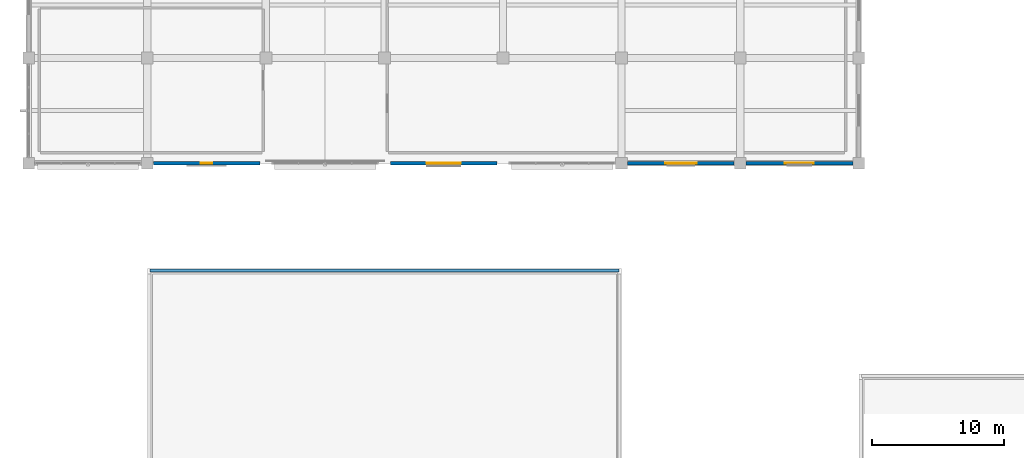
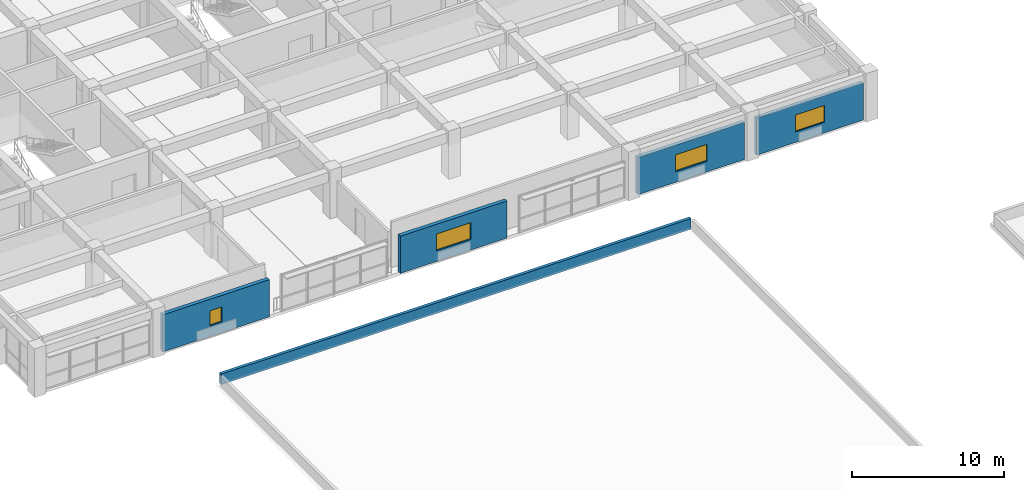
# One storey, part 14 of 23: 5 walls, 4 windows, 4 openings.
"""IFC4 building model written with IfcOpenShell, lengths in metres."""

from ifc_helpers import new_model, si_unit, direction, frame, frame_2d, origin, place, context, subcontext, project, spatial, rectangle, extrude, material, layer, layer_set, type_object, element, fill, save


model = new_model("IFC4")

# Units and contexts
model_context = context("Model", 3, precision=1e-05, world=origin(), true_north=direction((0.0, 1.0)))
body_context = subcontext(model_context, "Body", "Model", "MODEL_VIEW")
ifc_project = project(units=[si_unit("LENGTHUNIT", "METRE"), si_unit("AREAUNIT", "SQUARE_METRE"), si_unit("VOLUMEUNIT", "CUBIC_METRE"), si_unit("PLANEANGLEUNIT", "RADIAN"), si_unit("MASSUNIT", "GRAM", prefix="KILO")], contexts=[model_context])

# Site, building, storey
site_placement = place(None, origin())
site = spatial("IfcSite", under=ifc_project, at=site_placement, CompositionType="ELEMENT")
building_placement = place(site_placement, origin())
building = spatial("IfcBuilding", under=site, at=building_placement, Name="Zaverband Oceanarium and Marine Research Institute", CompositionType="ELEMENT")
storey_placement = place(building_placement, frame((0.0, 0.0, 21.89990234375)))
storey = spatial("IfcBuildingStorey", under=building, at=storey_placement, Name="L05", CompositionType="ELEMENT", Elevation=21.89990234375)

# Wall, opening, window
ifc_material_1 = material(Name="Concrete C40/50 precast", Category="concrete")
ifc_layer_1 = layer(ifc_material_1, 0.264892578125, Name="Concrete C40/50 precast")
ifc_layer_set_1 = layer_set([ifc_layer_1], Name="Concrete C40/50 precast")
wall_type_1 = type_object("IfcWallType", Name="EW-265", PredefinedType="STANDARD", material=ifc_layer_set_1)
wall_1_placement = place(storey_placement, frame((63.455078125, 64.0, 0.0), z_axis=(0.0, 0.0, 1.0), x_axis=(1.0, 0.0, 0.0)))
wall_1 = element("IfcWall", 1, at=wall_1_placement, inside=storey, type_object=wall_type_1, Name="Exterior infill wall EW-265", PredefinedType="STANDARD", context=body_context, shape_type="SweptSolid", body=[
    extrude(rectangle(XDim=8.08984375, YDim=0.264892578125, at=frame_2d((4.044921875, 0.0))), origin(), (0.0, 0.0, 1.0), 2.97998046875),
])
opening_1_placement = place(wall_1_placement, frame((2.945068359375, 0.0, 0.85009765625)))
opening_1 = element("IfcOpeningElement", 2, at=opening_1_placement, cuts=wall_1, Name="Opening WN-2200x1350", PredefinedType="OPENING", context=body_context, shape_type="SweptSolid", body=[
    extrude(rectangle(XDim=2.199951171875, YDim=1.35009765625, at=frame_2d((1.10009765625, 0.675048828125))), frame((0.0, 0.14453125, 0.0), z_axis=(0.0, -1.0, 0.0), x_axis=(1.0, 0.0, 0.0)), (0.0, 0.0, 1.0), 0.288818359375),
])
ifc_material_2 = material(Name="Thermally broken anodized aluminium and solar-control glass", Category="aluminium")
window_type_1 = type_object("IfcWindowType", Name="WN-2200x1350", PartitioningType="SINGLE_PANEL", PredefinedType="WINDOW", material=ifc_material_2)
window_1_placement = place(opening_1_placement, origin())
window_1 = element("IfcWindow", 3, at=window_1_placement, inside=storey, type_object=window_type_1, Name="Fixed / casement exterior window WN-2200x1350", OverallHeight=1.35009765625, OverallWidth=2.199951171875, PartitioningType="SINGLE_PANEL", PredefinedType="WINDOW", context=body_context, shape_type="SweptSolid", body=[
    extrude(rectangle(XDim=2.199951171875, YDim=1.35009765625, at=frame_2d((1.10009765625, 0.675048828125))), frame((0.0, 0.030029296875, 0.0), z_axis=(0.0, -1.0, 0.0), x_axis=(1.0, 0.0, 0.0)), (0.0, 0.0, 1.0), 0.06005859375),
])
fill(opening_1, window_1)

ifc_layer_2 = layer(ifc_material_1, 0.2900390625, Name="Concrete C40/50 precast")
ifc_layer_set_2 = layer_set([ifc_layer_2], Name="Concrete C40/50 precast")
wall_type_2 = type_object("IfcWallType", Name="EW-290", PredefinedType="STANDARD", material=ifc_layer_set_2)
wall_2_placement = place(storey_placement, frame((18.455078125, 64.0, 0.0), z_axis=(0.0, 0.0, 1.0), x_axis=(1.0, 0.0, 0.0)))
wall_2 = element("IfcWall", 4, at=wall_2_placement, inside=storey, type_object=wall_type_2, Name="Exterior infill wall EW-290", PredefinedType="STANDARD", context=body_context, shape_type="SweptSolid", body=[
    extrude(rectangle(XDim=8.08984375, YDim=0.2900390625, at=frame_2d((4.044921875, 0.0))), origin(), (0.0, 0.0, 1.0), 2.97998046875),
])
opening_2_placement = place(wall_2_placement, frame((3.594970703125, 0.0, 0.85009765625)))
opening_2 = element("IfcOpeningElement", 5, at=opening_2_placement, cuts=wall_2, Name="Opening WN-900x1200", PredefinedType="OPENING", context=body_context, shape_type="SweptSolid", body=[
    extrude(rectangle(XDim=0.89990234375, YDim=1.199951171875, at=frame_2d((0.449951171875, 0.60009765625))), frame((0.0, 0.156982421875, 0.0), z_axis=(0.0, -1.0, 0.0), x_axis=(1.0, 0.0, 0.0)), (0.0, 0.0, 1.0), 0.31396484375),
])
window_type_2 = type_object("IfcWindowType", Name="WN-900x1200", PartitioningType="SINGLE_PANEL", PredefinedType="WINDOW", material=ifc_material_2)
window_2_placement = place(opening_2_placement, origin())
window_2 = element("IfcWindow", 6, at=window_2_placement, inside=storey, type_object=window_type_2, Name="Fixed / casement exterior window WN-900x1200", OverallHeight=1.199951171875, OverallWidth=0.89990234375, PartitioningType="SINGLE_PANEL", PredefinedType="WINDOW", context=body_context, shape_type="SweptSolid", body=[
    extrude(rectangle(XDim=0.89990234375, YDim=1.199951171875, at=frame_2d((0.449951171875, 0.60009765625))), frame((0.0, 0.030029296875, 0.0), z_axis=(0.0, -1.0, 0.0), x_axis=(1.0, 0.0, 0.0)), (0.0, 0.0, 1.0), 0.06005859375),
])
fill(opening_2, window_2)

wall_3_placement = place(storey_placement, frame((36.455078125, 64.0, 0.0), z_axis=(0.0, 0.0, 1.0), x_axis=(1.0, 0.0, 0.0)))
wall_3 = element("IfcWall", 7, at=wall_3_placement, inside=storey, type_object=wall_type_2, Name="Exterior infill wall EW-290", PredefinedType="STANDARD", context=body_context, shape_type="SweptSolid", body=[
    extrude(rectangle(XDim=8.08984375, YDim=0.2900390625, at=frame_2d((4.044921875, 0.0))), origin(), (0.0, 0.0, 1.0), 2.97998046875),
])
opening_3_placement = place(wall_3_placement, frame((2.7451171875, 0.0, 0.85009765625)))
opening_3 = element("IfcOpeningElement", 8, at=opening_3_placement, cuts=wall_3, Name="Opening WN-2600x1350", PredefinedType="OPENING", context=body_context, shape_type="SweptSolid", body=[
    extrude(rectangle(XDim=2.60009765625, YDim=1.35009765625, at=frame_2d((1.300048828125, 0.675048828125))), frame((0.0, 0.156982421875, 0.0), z_axis=(0.0, -1.0, 0.0), x_axis=(1.0, 0.0, 0.0)), (0.0, 0.0, 1.0), 0.31396484375),
])
window_type_3 = type_object("IfcWindowType", Name="WN-2600x1350", PartitioningType="SINGLE_PANEL", PredefinedType="WINDOW", material=ifc_material_2)
window_3_placement = place(opening_3_placement, origin())
window_3 = element("IfcWindow", 9, at=window_3_placement, inside=storey, type_object=window_type_3, Name="Fixed / casement exterior window WN-2600x1350", OverallHeight=1.35009765625, OverallWidth=2.60009765625, PartitioningType="SINGLE_PANEL", PredefinedType="WINDOW", context=body_context, shape_type="SweptSolid", body=[
    extrude(rectangle(XDim=2.60009765625, YDim=1.35009765625, at=frame_2d((1.300048828125, 0.675048828125))), frame((0.0, 0.030029296875, 0.0), z_axis=(0.0, -1.0, 0.0), x_axis=(1.0, 0.0, 0.0)), (0.0, 0.0, 1.0), 0.06005859375),
])
fill(opening_3, window_3)

wall_4_placement = place(storey_placement, frame((54.455078125, 64.0, 0.0), z_axis=(0.0, 0.0, 1.0), x_axis=(1.0, 0.0, 0.0)))
wall_4 = element("IfcWall", 10, at=wall_4_placement, inside=storey, type_object=wall_type_2, Name="Exterior infill wall EW-290", PredefinedType="STANDARD", context=body_context, shape_type="SweptSolid", body=[
    extrude(rectangle(XDim=8.08984375, YDim=0.2900390625, at=frame_2d((4.044921875, 0.0))), origin(), (0.0, 0.0, 1.0), 2.97998046875),
])
opening_4_placement = place(wall_4_placement, frame((2.844970703125, 0.0, 0.85009765625)))
opening_4 = element("IfcOpeningElement", 11, at=opening_4_placement, cuts=wall_4, Name="Opening WN-2400x1350", PredefinedType="OPENING", context=body_context, shape_type="SweptSolid", body=[
    extrude(rectangle(XDim=2.39990234375, YDim=1.35009765625, at=frame_2d((1.199951171875, 0.675048828125))), frame((0.0, 0.156982421875, 0.0), z_axis=(0.0, -1.0, 0.0), x_axis=(1.0, 0.0, 0.0)), (0.0, 0.0, 1.0), 0.31396484375),
])
window_type_4 = type_object("IfcWindowType", Name="WN-2400x1350", PartitioningType="SINGLE_PANEL", PredefinedType="WINDOW", material=ifc_material_2)
window_4_placement = place(opening_4_placement, origin())
window_4 = element("IfcWindow", 12, at=window_4_placement, inside=storey, type_object=window_type_4, Name="Fixed / casement exterior window WN-2400x1350", OverallHeight=1.35009765625, OverallWidth=2.39990234375, PartitioningType="SINGLE_PANEL", PredefinedType="WINDOW", context=body_context, shape_type="SweptSolid", body=[
    extrude(rectangle(XDim=2.39990234375, YDim=1.35009765625, at=frame_2d((1.199951171875, 0.675048828125))), frame((0.0, 0.030029296875, 0.0), z_axis=(0.0, -1.0, 0.0), x_axis=(1.0, 0.0, 0.0)), (0.0, 0.0, 1.0), 0.06005859375),
])
fill(opening_4, window_4)

# Wall
ifc_material_3 = material(Name="Concrete C40/50", Category="concrete")
ifc_layer_3 = layer(ifc_material_3, 0.22998046875, Name="Concrete C40/50")
ifc_layer_set_3 = layer_set([ifc_layer_3], Name="Concrete C40/50")
wall_type_3 = type_object("IfcWallType", Name="PAR-230", PredefinedType="PARAPET", material=ifc_layer_set_3)
wall_5_placement = place(storey_placement, frame((18.199951171875, 55.85009765625, 2.400146484375), z_axis=(0.0, 0.0, 1.0), x_axis=(1.0, 0.0, 0.0)))
element("IfcWall", 13, at=wall_5_placement, inside=storey, type_object=wall_type_3, Name="Roof parapet upstand PAR-230", PredefinedType="PARAPET", context=body_context, shape_type="SweptSolid", body=[
    extrude(rectangle(XDim=35.60009765625, YDim=0.22998046875, at=frame_2d((17.800048828125, 0.0))), origin(), (0.0, 0.0, 1.0), 0.849853515625),
])

save(model, "model.ifc")
